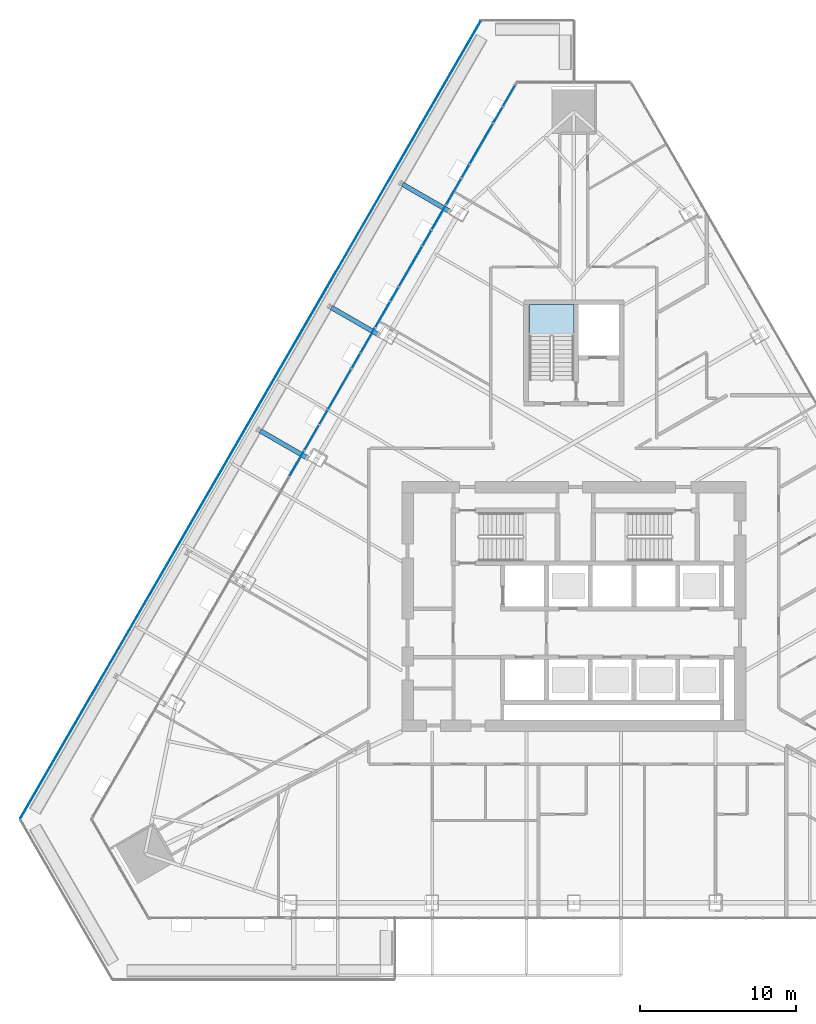
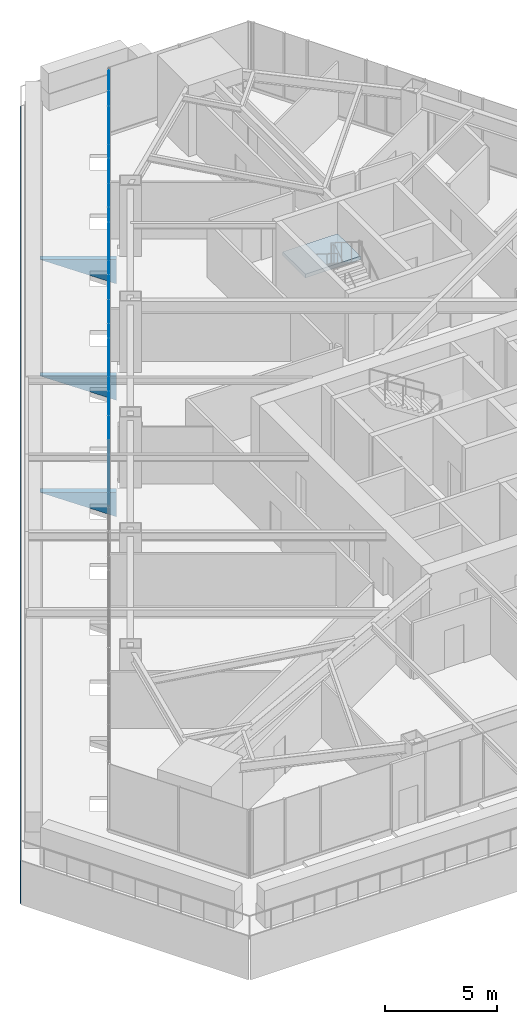
# One storey, part 22 of 35: 20 plates, 1 slab, 2 elements without a shape of their own.
"""IFC4 building model written with IfcOpenShell, lengths in metres."""

from ifc_helpers import new_model, si_unit, direction, frame, origin, place, context, subcontext, project, spatial, polyline, outline, extrude, material, layer, layer_set, type_object, element, aggregate, save


model = new_model("IFC4")

# Units and contexts
model_context = context("Model", 3, precision=1e-05, world=origin(), true_north=direction((0.0, 1.0)))
body_context = subcontext(model_context, "Body", "Model", "MODEL_VIEW")
ifc_project = project(units=[si_unit("LENGTHUNIT", "METRE"), si_unit("AREAUNIT", "SQUARE_METRE"), si_unit("VOLUMEUNIT", "CUBIC_METRE"), si_unit("PLANEANGLEUNIT", "RADIAN"), si_unit("MASSUNIT", "GRAM", prefix="KILO")], contexts=[model_context])

# Site, building, storey
site_placement = place(None, origin())
site = spatial("IfcSite", under=ifc_project, at=site_placement, CompositionType="ELEMENT")
building_placement = place(site_placement, origin())
building = spatial("IfcBuilding", under=site, at=building_placement, Name="Firuza Gate Tower and Library", CompositionType="ELEMENT")
storey_placement = place(building_placement, frame((0.0, 0.0, 159.699951171875)))
storey = spatial("IfcBuildingStorey", under=building, at=storey_placement, Name="L36", CompositionType="ELEMENT", Elevation=159.699951171875)

# Curtain wall, plates
ifc_material_1 = material(Name="Aluminium 6063-T6", Category="aluminium")
ifc_layer_1 = layer(ifc_material_1, 0.14990234375)
ifc_layer_set_1 = layer_set([ifc_layer_1], Name="Unitised curtain wall, hotel")
curtain_wall_type = type_object("IfcCurtainWallType", Name="Unitised curtain wall, hotel", PredefinedType="NOTDEFINED", material=ifc_layer_set_1)
placement = place(storey_placement, origin())
curtain_wall = element("IfcCurtainWall", 1, at=placement, inside=storey, type_object=curtain_wall_type, Name="CW2 L36 W face", PredefinedType="NOTDEFINED")
ifc_material_2 = material(Name="Fritted glass", Category="glass")
ifc_layer_2 = layer(ifc_material_2, 0.030029296875)
ifc_layer_set_2 = layer_set([ifc_layer_2], Name="Fritted glass unit, hotel")
plate_type_1 = type_object("IfcPlateType", Name="Fritted glass unit, hotel", PredefinedType="CURTAIN_PANEL", material=ifc_layer_set_2)
plate_1_placement = place(storey_placement, frame((71.22705078125, 108.322998046875, 0.150146484375), z_axis=(-0.866046081916, 0.499964182716, 0.0), x_axis=(-0.499964182716, -0.866046081916, 0.0)))
plate_1 = element("IfcPlate", 2, at=plate_1_placement, type_object=plate_type_1, Name="Glass unit", PredefinedType="CURTAIN_PANEL", context=body_context, shape_type="SweptSolid", body=[
    extrude(outline(polyline([(0.0, 0.0), (1.544544236510137, 0.0), (1.544544236510137, 3.5498046875), (0.0, 3.5498046875), (0.0, 0.0)])), origin(), (0.0, 0.0, -1.0), 0.030029296875),
])
plate_2_placement = place(storey_placement, frame((67.77734375, 102.34765625, 0.150146484375), z_axis=(-0.866031159827, 0.499990030109, 0.0), x_axis=(-0.499990030109, -0.866031159827, 0.0)))
plate_2 = element("IfcPlate", 3, at=plate_2_placement, type_object=plate_type_1, Name="Glass unit", PredefinedType="CURTAIN_PANEL", context=body_context, shape_type="SweptSolid", body=[
    extrude(outline(polyline([(0.0, 0.0), (1.8955456092678369, 0.0), (1.8955456092678369, 3.549804687500001), (0.0, 3.549804687500001), (0.0, 0.0)])), origin(), (0.0, 0.0, -1.0), 0.030029296875),
])
plate_3_placement = place(storey_placement, frame((66.78955078125, 100.63671875, 0.150146484375), z_axis=(-0.866017810474, 0.500013151769, 0.0), x_axis=(-0.500013151769, -0.866017810474, 0.0)))
plate_3 = element("IfcPlate", 4, at=plate_3_placement, type_object=plate_type_1, Name="Glass unit", PredefinedType="CURTAIN_PANEL", context=body_context, shape_type="SweptSolid", body=[
    extrude(outline(polyline([(0.0, 0.0), (1.7689964378864484, 0.0), (1.7689964378864484, 3.5498046875), (0.0, 3.5498046875), (0.0, 0.0)])), origin(), (0.0, 0.0, -1.0), 0.030029296875),
])
plate_4_placement = place(storey_placement, frame((63.227294921875, 94.466796875, 0.150146484375), z_axis=(-0.866050356912, 0.499956777425, 0.0), x_axis=(-0.499956777425, -0.866050356912, 0.0)))
plate_4 = element("IfcPlate", 5, at=plate_4_placement, type_object=plate_type_1, Name="Glass unit", PredefinedType="CURTAIN_PANEL", context=body_context, shape_type="SweptSolid", body=[
    extrude(outline(polyline([(0.0, 0.0), (1.8639306590163827, 0.0), (1.8639306590163827, 3.5498046875), (0.0, 3.5498046875), (0.0, 0.0)])), origin(), (0.0, 0.0, -1.0), 0.030029296875),
])
plate_5_placement = place(storey_placement, frame((62.25537109375, 92.783203125, 0.150146484375), z_axis=(-0.86599817046, 0.500047166535, 0.0), x_axis=(-0.500047166535, -0.86599817046, 0.0)))
plate_5 = element("IfcPlate", 6, at=plate_5_placement, type_object=plate_type_1, Name="Glass unit", PredefinedType="CURTAIN_PANEL", context=body_context, shape_type="SweptSolid", body=[
    extrude(outline(polyline([(0.0, 0.0), (1.8006113928002991, 0.0), (1.8006113928002991, 3.5498046875), (0.0, 3.5498046875), (0.0, 0.0)])), origin(), (0.0, 0.0, -1.0), 0.030029296875),
])
plate_6_placement = place(storey_placement, frame((58.67724609375, 86.5859375, 0.150146484375), z_axis=(-0.866012523866, 0.50002230801, 0.0), x_axis=(-0.50002230801, -0.866012523866, 0.0)))
plate_6 = element("IfcPlate", 7, at=plate_6_placement, type_object=plate_type_1, Name="Glass unit", PredefinedType="CURTAIN_PANEL", context=body_context, shape_type="SweptSolid", body=[
    extrude(outline(polyline([(0.0, 0.0), (1.832437775168214, 0.0), (1.832437775168214, 3.5498046875), (0.0, 3.5498046875), (0.0, 0.0)])), origin(), (0.0, 0.0, -1.0), 0.030029296875),
])
plate_7_placement = place(storey_placement, frame((57.72119140625, 84.9296875, 0.150146484375), z_axis=(-0.865979206953, 0.500080006723, 0.0), x_axis=(-0.500080006723, -0.865979206953, 0.0)))
plate_7 = element("IfcPlate", 8, at=plate_7_placement, type_object=plate_type_1, Name="Glass unit", PredefinedType="CURTAIN_PANEL", context=body_context, shape_type="SweptSolid", body=[
    extrude(outline(polyline([(0.0, 0.0), (1.832226350396151, 0.0), (1.832226350396151, 3.5498046875), (0.0, 3.5498046875), (0.0, 0.0)])), origin(), (0.0, 0.0, -1.0), 0.030029296875),
])
ifc_material_3 = material(Name="Glazed ceramic tile")
ifc_layer_3 = layer(ifc_material_3, 0.030029296875)
ifc_layer_set_3 = layer_set([ifc_layer_3], Name="Opaque ceramic panel, hotel")
plate_type_2 = type_object("IfcPlateType", Name="Opaque ceramic panel, hotel", PredefinedType="CURTAIN_PANEL", material=ifc_layer_set_3)
plate_8_placement = place(storey_placement, frame((70.4150390625, 106.916259765625, 0.150146484375), z_axis=(-0.866004950882, 0.500035423793, 0.0), x_axis=(-0.500035423793, -0.866004950882, 0.0)))
plate_8 = element("IfcPlate", 9, at=plate_8_placement, type_object=plate_type_2, Name="Opaque ceramic panel", PredefinedType="CURTAIN_PANEL", context=body_context, shape_type="SweptSolid", body=[
    extrude(outline(polyline([(0.0, 0.0), (1.1254085487704724, 0.0), (1.1254085487704724, 3.5498046875), (0.0, 3.5498046875), (0.0, 0.0)])), origin(), (0.0, 0.0, -1.0), 0.030029296875),
])
plate_9_placement = place(storey_placement, frame((69.812255859375, 105.872314453125, 0.150146484375), z_axis=(-0.866023947468, 0.500002522405, 0.0), x_axis=(-0.500002522405, -0.866023947468, 0.0)))
plate_9 = element("IfcPlate", 10, at=plate_9_placement, type_object=plate_type_2, Name="Opaque ceramic panel", PredefinedType="CURTAIN_PANEL", context=body_context, shape_type="SweptSolid", body=[
    extrude(outline(polyline([(0.0, 0.0), (2.942856247596896, 0.0), (2.942856247596896, 3.5498046875), (0.0, 3.5498046875), (0.0, 0.0)])), origin(), (0.0, 0.0, -1.0), 0.030029296875),
])
plate_10_placement = place(storey_placement, frame((68.301025390625, 103.254638671875, 0.150146484375), z_axis=(-0.865967067452, 0.500101027882, 0.0), x_axis=(-0.500101027882, -0.865967067452, 0.0)))
plate_10 = element("IfcPlate", 11, at=plate_10_placement, type_object=plate_type_2, Name="Opaque ceramic panel", PredefinedType="CURTAIN_PANEL", context=body_context, shape_type="SweptSolid", body=[
    extrude(outline(polyline([(0.0, 0.0), (0.9675779328020727, 0.0), (0.9675779328020727, 3.5498046875), (0.0, 3.5498046875), (0.0, 0.0)])), origin(), (0.0, 0.0, -1.0), 0.030029296875),
])
plate_11_placement = place(storey_placement, frame((65.864990234375, 99.035400390625, 0.150146484375), z_axis=(-0.866036909293, 0.499980071345, 0.0), x_axis=(-0.499980071345, -0.866036909293, 0.0)))
plate_11 = element("IfcPlate", 12, at=plate_11_placement, type_object=plate_type_2, Name="Opaque ceramic panel", PredefinedType="CURTAIN_PANEL", context=body_context, shape_type="SweptSolid", body=[
    extrude(outline(polyline([(0.0, 0.0), (1.0937935956713407, 0.0), (1.0937935956713407, 3.5498046875), (0.0, 3.5498046875), (0.0, 0.0)])), origin(), (0.0, 0.0, -1.0), 0.030029296875),
])
plate_12_placement = place(storey_placement, frame((65.278076171875, 98.018798828125, 0.150146484375), z_axis=(-0.866003204916, 0.500038447598, 0.0), x_axis=(-0.500038447598, -0.866003204916, 0.0)))
plate_12 = element("IfcPlate", 13, at=plate_12_placement, type_object=plate_type_2, Name="Opaque ceramic panel", PredefinedType="CURTAIN_PANEL", context=body_context, shape_type="SweptSolid", body=[
    extrude(outline(polyline([(0.0, 0.0), (2.9426448185010545, 0.0), (2.9426448185010545, 3.5498046875), (0.0, 3.5498046875), (0.0, 0.0)])), origin(), (0.0, 0.0, -1.0), 0.030029296875),
])
plate_13_placement = place(storey_placement, frame((63.7666015625, 95.401123046875, 0.150146484375), z_axis=(-0.866144895462, 0.499792977207, 0.0), x_axis=(-0.499792977207, -0.866144895462, 0.0)))
plate_13 = element("IfcPlate", 14, at=plate_13_placement, type_object=plate_type_2, Name="Opaque ceramic panel", PredefinedType="CURTAIN_PANEL", context=body_context, shape_type="SweptSolid", body=[
    extrude(outline(polyline([(0.0, 0.0), (0.9989487665783685, 0.0), (0.9989487665783685, 3.5498046875), (0.0, 3.5498046875), (0.0, 0.0)])), origin(), (0.0, 0.0, -1.0), 0.030029296875),
])
plate_14_placement = place(storey_placement, frame((61.31494140625, 91.154541015625, 0.150146484375), z_axis=(-0.866070766281, 0.499921421619, 0.0), x_axis=(-0.499921421619, -0.866070766281, 0.0)))
plate_14 = element("IfcPlate", 15, at=plate_14_placement, type_object=plate_type_2, Name="Opaque ceramic panel", PredefinedType="CURTAIN_PANEL", context=body_context, shape_type="SweptSolid", body=[
    extrude(outline(polyline([(0.0, 0.0), (1.062178647306609, 0.0), (1.062178647306609, 3.5498046875), (0.0, 3.5498046875), (0.0, 0.0)])), origin(), (0.0, 0.0, -1.0), 0.030029296875),
])
plate_15_placement = place(storey_placement, frame((60.743896484375, 90.16552734375, 0.150146484375), z_axis=(-0.866023947468, 0.500002522405, 0.0), x_axis=(-0.500002522405, -0.866023947468, 0.0)))
plate_15 = element("IfcPlate", 16, at=plate_15_placement, type_object=plate_type_2, Name="Opaque ceramic panel", PredefinedType="CURTAIN_PANEL", context=body_context, shape_type="SweptSolid", body=[
    extrude(outline(polyline([(0.0, 0.0), (2.942856247596896, 0.0), (2.942856247596896, 3.5498046875), (0.0, 3.5498046875), (0.0, 0.0)])), origin(), (0.0, 0.0, -1.0), 0.030029296875),
])
plate_16_placement = place(storey_placement, frame((59.232421875, 87.547607421875, 0.150146484375), z_axis=(-0.866047486323, 0.49996174997, 0.0), x_axis=(-0.49996174997, -0.866047486323, 0.0)))
plate_16 = element("IfcPlate", 17, at=plate_16_placement, type_object=plate_type_2, Name="Opaque ceramic panel", PredefinedType="CURTAIN_PANEL", context=body_context, shape_type="SweptSolid", body=[
    extrude(outline(polyline([(0.0, 0.0), (1.0303522595088923, 0.0), (1.0303522595088923, 3.5498046875), (0.0, 3.5498046875), (0.0, 0.0)])), origin(), (0.0, 0.0, -1.0), 0.030029296875),
])
aggregate(curtain_wall, [plate_1, plate_8, plate_9, plate_10, plate_2, plate_3, plate_11, plate_12, plate_13, plate_4, plate_5, plate_14, plate_15, plate_16, plate_6, plate_7])

# Stair, slab
ifc_material_4 = material(Name="Concrete C35/45", Category="concrete")
stair_type = type_object("IfcStairType", Name="Exit stair ST16", PredefinedType="HALF_TURN_STAIR", material=ifc_material_4)
stair = element("IfcStair", 18, at=placement, inside=storey, type_object=stair_type, Name="L36 Stair ST3", PredefinedType="HALF_TURN_STAIR")
ifc_material_5 = material(Name="Concrete C35/45", Category="concrete")
ifc_layer_4 = layer(ifc_material_5, 0.199951171875)
ifc_layer_set_4 = layer_set([ifc_layer_4], Name="Stair landing 200")
slab_type = type_object("IfcSlabType", Name="Stair landing 200", PredefinedType="LANDING", material=ifc_layer_set_4)
slab_placement = place(storey_placement, frame((0.0, 0.0, 1.75)))
slab = element("IfcSlab", 19, at=slab_placement, type_object=slab_type, Name="ST3 landing 1", PredefinedType="LANDING", context=body_context, shape_type="SweptSolid", body=[
    extrude(outline(polyline([(75.0, 92.27001953125), (75.0, 94.300048828125), (72.159912109375, 94.300048828125), (72.159912109375, 92.27001953125), (75.0, 92.27001953125)])), origin(), (0.0, 0.0, 1.0), 0.199951171875),
])
aggregate(stair, [slab])

# Plates
ifc_material_6 = material(Name="Steel S355", Category="steel")
ifc_layer_5 = layer(ifc_material_6, 0.300048828125)
ifc_layer_set_5 = layer_set([ifc_layer_5], Name="Tray bracket web 300 Steel S355")
plate_type_3 = type_object("IfcPlateType", Name="Tray bracket web 300 Steel S355", PredefinedType="SHEET", material=ifc_layer_set_5)
plate_17_placement = place(storey_placement, frame((66.94091796875, 100.14892578125, -0.199951171875), z_axis=(-0.499868315584, -0.86610141847, 0.0), x_axis=(-0.86610141847, 0.499868315584, 0.0)))
element("IfcPlate", 20, at=plate_17_placement, inside=storey, type_object=plate_type_3, Name="Tray bracket web L36 col:L35:W1", PredefinedType="SHEET", context=body_context, shape_type="SweptSolid", body=[
    extrude(outline(polyline([(0.0, 0.0), (3.4291257811032914, 0.0), (0.0, 1.333984375), (0.0, 0.0)])), origin(), (0.0, 0.0, -1.0), 0.300048828125),
])
plate_18_placement = place(storey_placement, frame((62.39111328125, 92.26806640625, -0.199951171875), z_axis=(-0.49999768429, -0.866026740756, 0.0), x_axis=(-0.866026740756, 0.49999768429, 0.0)))
element("IfcPlate", 21, at=plate_18_placement, inside=storey, type_object=plate_type_3, Name="Tray bracket web L36 col:L35:W2", PredefinedType="SHEET", context=body_context, shape_type="SweptSolid", body=[
    extrude(outline(polyline([(0.0, 0.0), (3.4297033843973885, 0.0), (0.0, 1.333984375), (0.0, 0.0)])), origin(), (0.0, 0.0, -1.0), 0.300048828125),
])
plate_19_placement = place(storey_placement, frame((57.841064453125, 84.386962890625, -0.199951171875), z_axis=(-0.500081895979, -0.865978115955, 0.0), x_axis=(-0.865978115955, 0.500081895979, 0.0)))
element("IfcPlate", 22, at=plate_19_placement, inside=storey, type_object=plate_type_3, Name="Tray bracket web L36 col:L35:W3", PredefinedType="SHEET", context=body_context, shape_type="SweptSolid", body=[
    extrude(outline(polyline([(0.0, 0.0), (3.429614038049955, 0.0), (0.0, 1.333984375), (0.0, 0.0)])), origin(), (0.0, 0.0, -1.0), 0.300048828125),
])
ifc_material_7 = material(Name="Aluminium 6063-T6", Category="aluminium")
ifc_layer_6 = layer(ifc_material_7, 0.050048828125)
ifc_layer_set_6 = layer_set([ifc_layer_6], Name="Tray fascia panel 50")
plate_type_4 = type_object("IfcPlateType", Name="Tray fascia panel 50", PredefinedType="SHEET", material=ifc_layer_set_6)
plate_20_placement = place(storey_placement, frame((69.031982421875, 112.44091796875, -2.39990234375), z_axis=(-0.866028506309, 0.499994626232, 0.0), x_axis=(-0.499994626232, -0.866028506309, 0.0)))
element("IfcPlate", 23, at=plate_20_placement, inside=storey, type_object=plate_type_4, Name="Tray fascia L36 2", PredefinedType="SHEET", context=body_context, shape_type="SweptSolid", body=[
    extrude(outline(polyline([(0.0, 0.0), (58.88246877893131, 0.0), (58.88246877893131, 2.39990234375), (0.0, 2.39990234375), (0.0, 0.0)])), origin(), (0.0, 0.0, -1.0), 0.050048828125),
])

save(model, "model.ifc")
